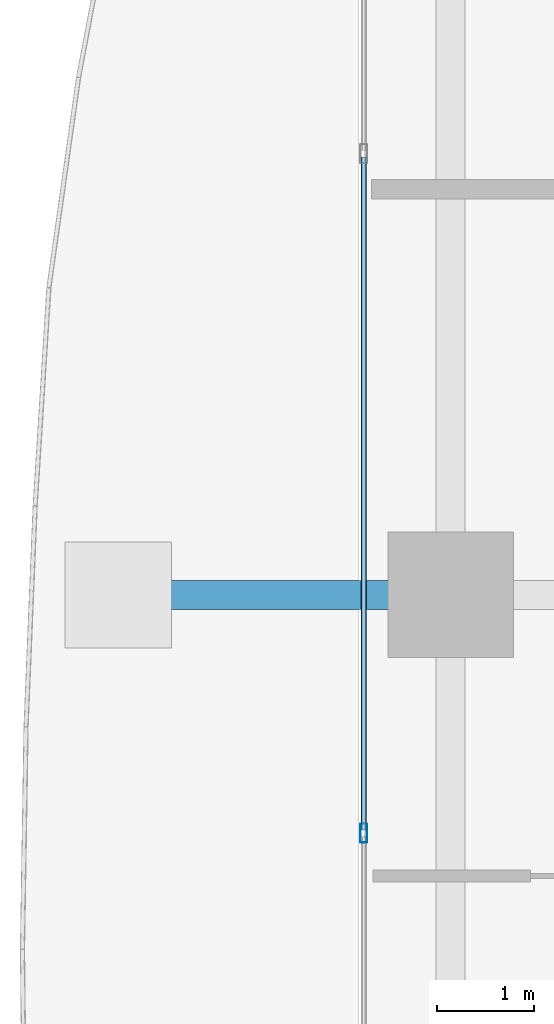
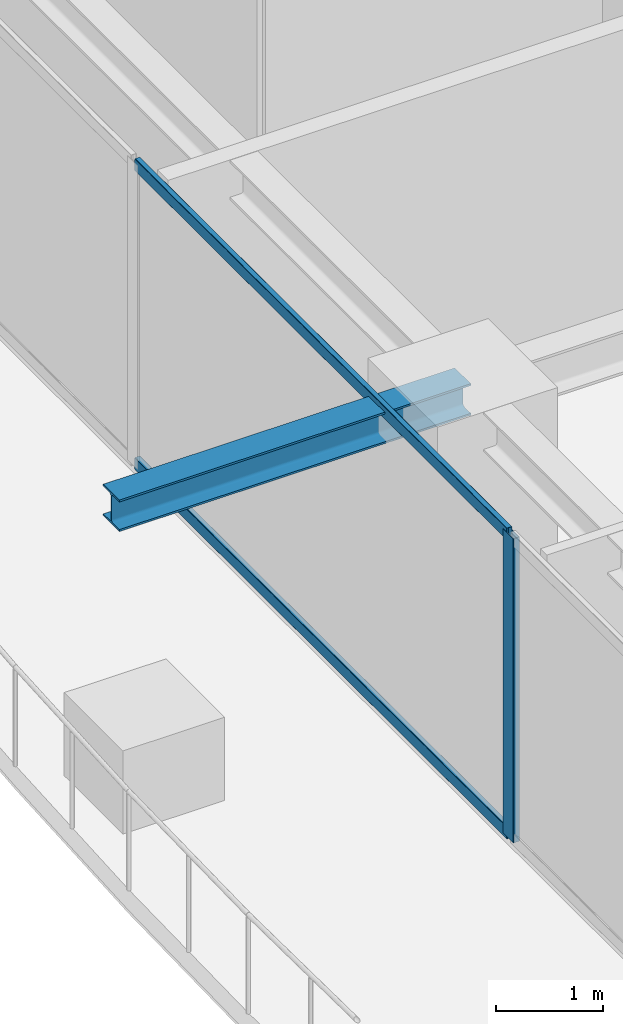
# One storey, part 10 of 37: 3 members, 1 beam, 1 element without a shape of its own.
"""IFC4 building model written with IfcOpenShell, lengths in metres."""

from ifc_helpers import new_model, si_unit, direction, frame, origin, origin_2d, place, context, subcontext, project, spatial, hollow_rectangle, i_section, extrude, source, transform, mapped, material, layer, layer_set, material_profile, profile_set, type_object, element, aggregate, save


model = new_model("IFC4")

# Units and contexts
model_context = context("Model", 3, precision=1e-05, world=origin(), true_north=direction((0.0, 1.0)))
body_context = subcontext(model_context, "Body", "Model", "MODEL_VIEW")
ifc_project = project(units=[si_unit("LENGTHUNIT", "METRE"), si_unit("AREAUNIT", "SQUARE_METRE"), si_unit("VOLUMEUNIT", "CUBIC_METRE"), si_unit("PLANEANGLEUNIT", "RADIAN"), si_unit("MASSUNIT", "GRAM", prefix="KILO")], contexts=[model_context])

# Site, building, storey
site_placement = place(None, origin())
site = spatial("IfcSite", under=ifc_project, at=site_placement, CompositionType="ELEMENT")
building_placement = place(site_placement, origin())
building = spatial("IfcBuilding", under=site, at=building_placement, Name="Serunith Strait Residences", CompositionType="ELEMENT")
storey_placement = place(building_placement, frame((0.0, 0.0, 138.89990234375)))
storey = spatial("IfcBuildingStorey", under=building, at=storey_placement, Name="L34", CompositionType="ELEMENT", Elevation=138.89990234375)

# Beam
ifc_material_1 = material(Name="Steel S355J2", Category="steel")
ifc_material_profile_1 = material_profile(ifc_material_1, i_section(OverallWidth=0.300048828125, OverallDepth=0.360107421875, WebThickness=0.012451171875, FlangeThickness=0.0224609375, FilletRadius=0.027099609375, at=origin_2d()), Name="HEB 360")
ifc_profile_set_1 = profile_set([ifc_material_profile_1], Name="Steel S355J2")
beam_type = type_object("IfcBeamType", Name="BM-HEB360", PredefinedType="BEAM", material=ifc_profile_set_1)
shared_shape_1 = source(origin(), body_context, "Body", "SweptSolid", [
    extrude(i_section(OverallWidth=0.300048828125, OverallDepth=0.360107421875, WebThickness=0.012451171875, FlangeThickness=0.0224609375, FilletRadius=0.027099609375, at=origin_2d()), origin(), (0.0, 0.0, 1.0), 3.800048828125),
])
beam_placement = place(storey_placement, frame((8.699951171875, 29.39990234375, 3.277099609375), z_axis=(-1.0, 0.0, 0.0), x_axis=(0.0, -1.0, 0.0)))
element("IfcBeam", 1, at=beam_placement, inside=storey, type_object=beam_type, Name="L35 Cantilevered Balcony Rib TC-W3", PredefinedType="BEAM", context=body_context, shape_type="MappedRepresentation", body=[
    mapped(shared_shape_1, transform((0.0, 0.0, 0.0), scale=1.0)),
])

# Curtain wall, members
ifc_material_2 = material(Name="Pale-Champagne Anodised Aluminium", Category="aluminium")
ifc_layer = layer(ifc_material_2, 0.199951171875, Name="Pale-Champagne Anodised Aluminium")
ifc_layer_set = layer_set([ifc_layer], Name="Pale-Champagne Anodised Aluminium")
curtain_wall_type = type_object("IfcCurtainWallType", Name="CW-SYS2", PredefinedType="NOTDEFINED", material=ifc_layer_set)
curtain_wall_placement = place(storey_placement, origin())
curtain_wall = element("IfcCurtainWall", 2, at=curtain_wall_placement, inside=storey, type_object=curtain_wall_type, Name="L34 W Unitised Fritted Curtain Wall", PredefinedType="NOTDEFINED")
ifc_material_profile_2 = material_profile(ifc_material_2, hollow_rectangle(XDim=0.070068359375, YDim=0.199951171875, WallThickness=0.00390625, InnerFilletRadius=0.006103515625, OuterFilletRadius=0.010009765625, at=origin_2d()), Name="ALU 200x70x4")
ifc_profile_set_2 = profile_set([ifc_material_profile_2], Name="Pale-Champagne Anodised Aluminium")
member_type_1 = type_object("IfcMemberType", Name="CW-SYS2-MULL", PredefinedType="MULLION", material=ifc_profile_set_2)
shared_shape_2 = source(origin(), body_context, "Body", "SweptSolid", [
    extrude(hollow_rectangle(XDim=0.070068359375, YDim=0.199951171875, WallThickness=0.00390625, InnerFilletRadius=0.006103515625, OuterFilletRadius=0.010009765625, at=origin_2d()), origin(), (0.0, 0.0, 1.0), 3.47509765625),
])
member_1_placement = place(storey_placement, frame((7.800048828125, 26.933349609375, 0.0), z_axis=(0.0, 0.0, 1.0), x_axis=(1.0, 0.0, 0.0)))
member_1 = element("IfcMember", 3, at=member_1_placement, type_object=member_type_1, Name="CW-2 mullion 3", PredefinedType="MULLION", context=body_context, shape_type="MappedRepresentation", body=[
    mapped(shared_shape_2, transform((0.0, 0.0, 0.0), scale=1.0)),
])
ifc_material_profile_3 = material_profile(ifc_material_2, hollow_rectangle(XDim=0.06005859375, YDim=0.139892578125, WallThickness=0.00341796875, InnerFilletRadius=0.00537109375, OuterFilletRadius=0.0087890625, at=origin_2d()), Name="ALU 140x60x3.5")
ifc_profile_set_3 = profile_set([ifc_material_profile_3], Name="Pale-Champagne Anodised Aluminium")
member_type_2 = type_object("IfcMemberType", Name="CW-SYS2-TRAN", PredefinedType="USERDEFINED", material=ifc_profile_set_3)
shared_shape_3 = source(origin(), body_context, "Body", "SweptSolid", [
    extrude(hollow_rectangle(XDim=0.06005859375, YDim=0.139892578125, WallThickness=0.00341796875, InnerFilletRadius=0.00537109375, OuterFilletRadius=0.0087890625, at=origin_2d()), origin(), (0.0, 0.0, 1.0), 6.96337890625),
])
member_2_placement = place(storey_placement, frame((7.800048828125, 33.931640625, 0.030029296875), z_axis=(0.0, -1.0, 0.0), x_axis=(1.0, 0.0, 0.0)))
member_2 = element("IfcMember", 4, at=member_2_placement, type_object=member_type_2, Name="CW-2 transom 2.1", ObjectType="TRANSOM", PredefinedType="USERDEFINED", context=body_context, shape_type="MappedRepresentation", body=[
    mapped(shared_shape_3, transform((0.0, 0.0, 0.0), scale=1.0)),
])
member_3_placement = place(storey_placement, frame((7.800048828125, 33.931640625, 3.445068359375), z_axis=(0.0, -1.0, 0.0), x_axis=(1.0, 0.0, 0.0)))
member_3 = element("IfcMember", 5, at=member_3_placement, type_object=member_type_2, Name="CW-2 transom 2.2", ObjectType="TRANSOM", PredefinedType="USERDEFINED", context=body_context, shape_type="MappedRepresentation", body=[
    mapped(shared_shape_3, transform((0.0, 0.0, 0.0), scale=1.0)),
])
aggregate(curtain_wall, [member_1, member_2, member_3])

save(model, "model.ifc")
